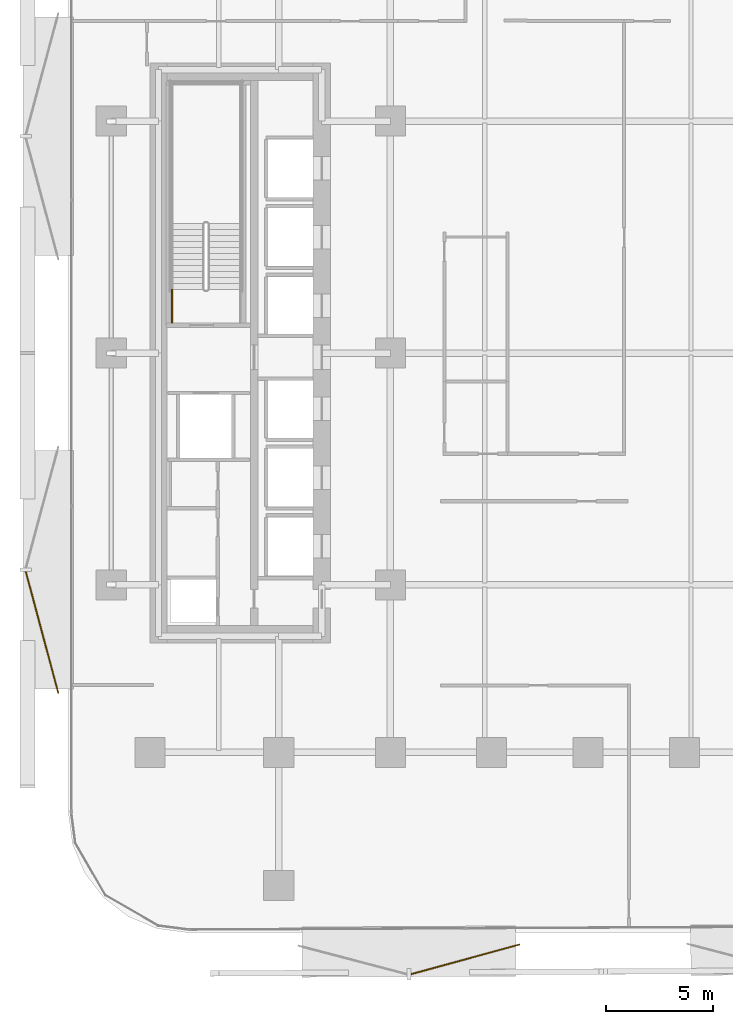
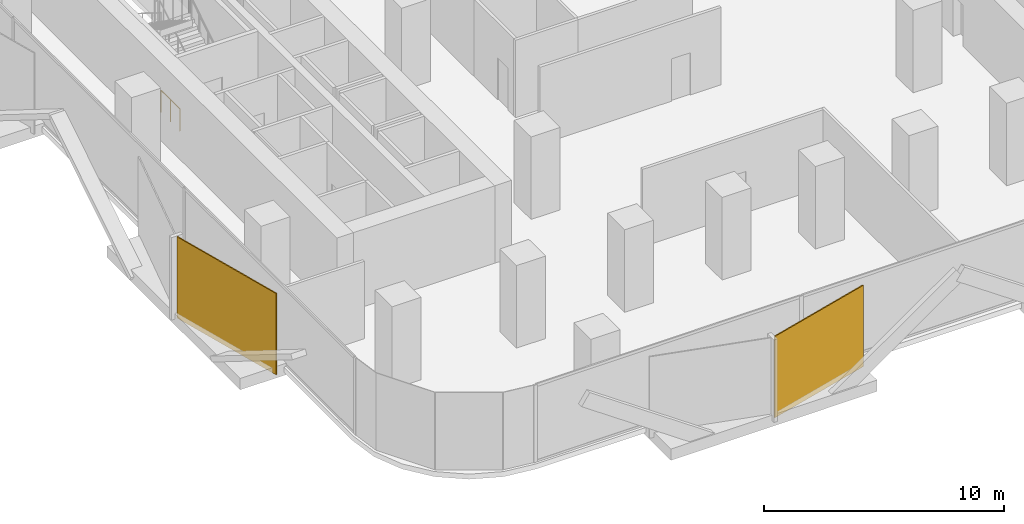
# One storey, part 11 of 15: 2 coverings, 1 railing.
"""IFC4 building model written with IfcOpenShell, lengths in metres."""

from ifc_helpers import new_model, si_unit, direction, frame, origin, origin_2d, place, context, subcontext, project, spatial, rectangle, circle, extrude, material, layer, layer_set, type_object, element, save


model = new_model("IFC4")

# Units and contexts
model_context = context("Model", 3, precision=1e-05, world=origin(), true_north=direction((0.0, 1.0)))
body_context = subcontext(model_context, "Body", "Model", "MODEL_VIEW")
ifc_project = project(units=[si_unit("LENGTHUNIT", "METRE"), si_unit("AREAUNIT", "SQUARE_METRE"), si_unit("VOLUMEUNIT", "CUBIC_METRE"), si_unit("PLANEANGLEUNIT", "RADIAN"), si_unit("MASSUNIT", "GRAM", prefix="KILO")], contexts=[model_context])

# Site, building, storey
site_placement = place(None, origin())
site = spatial("IfcSite", under=ifc_project, at=site_placement, CompositionType="ELEMENT")
building_placement = place(site_placement, origin())
building = spatial("IfcBuilding", under=site, at=building_placement, Name="Khairoan Windgate Tower", CompositionType="ELEMENT")
storey_placement = place(building_placement, frame((0.0, 0.0, 72.199951171875)))
storey = spatial("IfcBuildingStorey", under=building, at=storey_placement, Name="L17", CompositionType="ELEMENT", Elevation=72.199951171875)

# Coverings
ifc_material_1 = material(Name="Anodised Bronze Aluminium 6063-T6", Category="aluminium")
ifc_layer = layer(ifc_material_1, 0.054931640625, Name="Anodised Bronze Aluminium 6063-T6")
ifc_layer_set = layer_set([ifc_layer], Name="Anodised Bronze Aluminium 6063-T6")
covering_type = type_object("IfcCoveringType", Name="Perforated Bronze-Ceramic Folded Solar Screen Cladding BSC-1", PredefinedType="CLADDING", material=ifc_layer_set)
covering_1_placement = place(storey_placement, frame((-5.70751953125, -28.238037109375, -0.10009765625), z_axis=(0.0, 0.0, 1.0), x_axis=(-0.964649468762, -0.263536339841, 0.0)))
element("IfcCovering", 1, at=covering_1_placement, inside=storey, type_object=covering_type, Name="L17 Folded Bronze Solar Screen Facet 90L", PredefinedType="CLADDING", context=body_context, shape_type="SweptSolid", body=[
    extrude(rectangle(XDim=5.25, YDim=0.054931640625, at=origin_2d()), origin(), (0.0, 0.0, 1.0), 4.139892578125),
])
covering_2_placement = place(storey_placement, frame((-25.42236328125, -13.01318359375, -0.10009765625), z_axis=(0.0, 0.0, 1.0), x_axis=(-0.258819045103, 0.965925826289, 0.0)))
element("IfcCovering", 2, at=covering_2_placement, inside=storey, type_object=covering_type, Name="L17 Folded Bronze Solar Screen Facet 91L", PredefinedType="CLADDING", context=body_context, shape_type="SweptSolid", body=[
    extrude(rectangle(XDim=5.85498046875, YDim=0.054931640625, at=origin_2d()), origin(), (0.0, 0.0, 1.0), 4.139892578125),
])

# Railing
ifc_material_2 = material(Name="Steel S355", Category="steel")
railing_type = type_object("IfcRailingType", Name="Stairwell Safety Guardrail SGR-1150", PredefinedType="GUARDRAIL", material=ifc_material_2)
railing_placement = place(storey_placement, frame((-19.3701171875, 1.39990234375, 0.0)))
element("IfcRailing", 3, at=railing_placement, inside=storey, type_object=railing_type, Name="L17 ST2 stair guard 9", PredefinedType="GUARDRAIL", context=body_context, shape_type="SweptSolid", body=[
    extrude(circle(Radius=0.02392578125, at=origin_2d()), frame((0.0, 0.0, 1.1259765625), z_axis=(0.0, 1.0, 0.0), x_axis=(-1.0, 0.0, 0.0)), (0.0, 0.0, 1.0), 1.56005859375),
    extrude(circle(Radius=0.02099609375, at=origin_2d()), origin(), (0.0, 0.0, 1.0), 1.101806640625),
    extrude(circle(Radius=0.02099609375, at=origin_2d()), frame((0.0, 0.780029296875, 0.0)), (0.0, 0.0, 1.0), 1.101806640625),
    extrude(circle(Radius=0.02099609375, at=origin_2d()), frame((0.0, 1.56005859375, 0.0)), (0.0, 0.0, 1.0), 1.101806640625),
])

save(model, "model.ifc")
